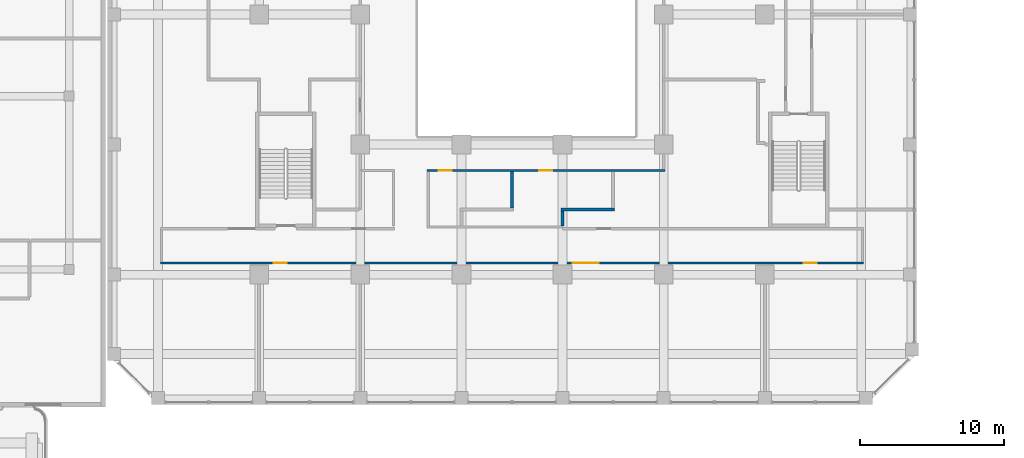
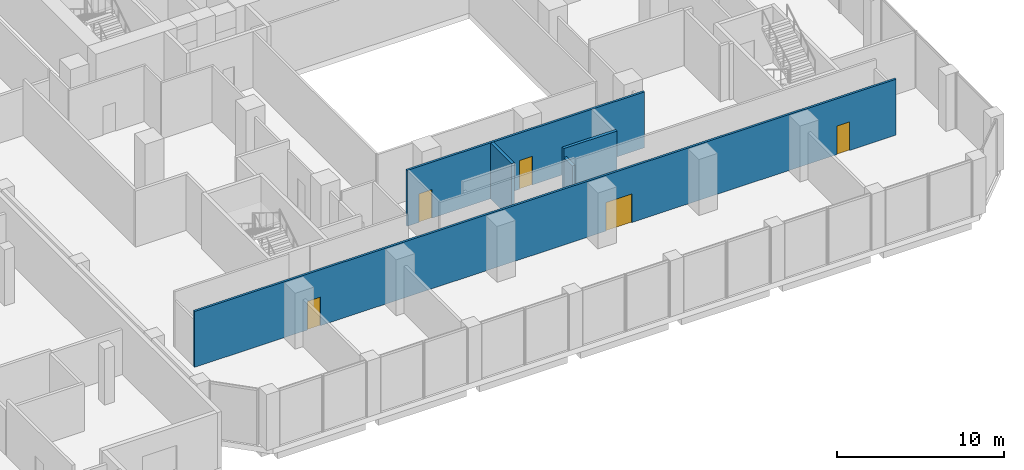
# One storey, part 14 of 36: 5 doors, 5 walls, 5 openings.
"""IFC4 building model written with IfcOpenShell, lengths in metres."""

from ifc_helpers import new_model, si_unit, direction, frame, frame_2d, origin, place, context, subcontext, project, spatial, rectangle, extrude, material, layer, layer_set, type_object, element, fill, save


model = new_model("IFC4")

# Units and contexts
model_context = context("Model", 3, precision=1e-05, world=origin(), true_north=direction((0.0, 1.0)))
body_context = subcontext(model_context, "Body", "Model", "MODEL_VIEW")
ifc_project = project(units=[si_unit("LENGTHUNIT", "METRE"), si_unit("AREAUNIT", "SQUARE_METRE"), si_unit("VOLUMEUNIT", "CUBIC_METRE"), si_unit("PLANEANGLEUNIT", "RADIAN"), si_unit("MASSUNIT", "GRAM", prefix="KILO")], contexts=[model_context])

# Site, building, storey
site_placement = place(None, origin())
site = spatial("IfcSite", under=ifc_project, at=site_placement, CompositionType="ELEMENT")
building_placement = place(site_placement, origin())
building = spatial("IfcBuilding", under=site, at=building_placement, Name="Kilnfold Tower and Market Hall", CompositionType="ELEMENT")
storey_placement = place(building_placement, frame((0.0, 0.0, 18.0)))
storey = spatial("IfcBuildingStorey", under=building, at=storey_placement, Name="L03", CompositionType="ELEMENT", Elevation=18.0)

# Wall, openings, doors
ifc_material_1 = material(Name="Gypsum board on steel studs", Category="steel")
ifc_layer_1 = layer(ifc_material_1, 0.14990234375)
ifc_layer_set_1 = layer_set([ifc_layer_1], Name="Gypsum board on steel studs")
wall_type_1 = type_object("IfcWallType", Name="WALL CORRIDOR 150", PredefinedType="PARTITIONING", material=ifc_layer_set_1)
wall_1_placement = place(storey_placement, frame((-24.324951171875, -18.199951171875, 0.0), z_axis=(0.0, 0.0, 1.0), x_axis=(1.0, 0.0, 0.0)))
wall_1 = element("IfcWall", 1, at=wall_1_placement, inside=storey, type_object=wall_type_1, Name="Partition LY04.7", PredefinedType="PARTITIONING", context=body_context, shape_type="SweptSolid", body=[
    extrude(rectangle(XDim=48.64990234375, YDim=0.14990234375, at=frame_2d((24.324951171875, 0.0))), origin(), (0.0, 0.0, 1.0), 4.10009765625),
])
opening_1_placement = place(wall_1_placement, frame((7.818115234375, 0.0, 0.0)))
opening_1 = element("IfcOpeningElement", 2, at=opening_1_placement, cuts=wall_1, Name="Opening D2", PredefinedType="OPENING", context=body_context, shape_type="SweptSolid", body=[
    extrude(rectangle(XDim=0.89990234375, YDim=2.10009765625, at=frame_2d((0.449951171875, 1.050048828125))), frame((0.0, 0.0849609375, 0.0), z_axis=(0.0, -1.0, 0.0), x_axis=(1.0, 0.0, 0.0)), (0.0, 0.0, 1.0), 0.169921875),
])
opening_2_placement = place(wall_1_placement, frame((28.52587890625, 0.0, 0.0)))
opening_2 = element("IfcOpeningElement", 3, at=opening_2_placement, cuts=wall_1, Name="Opening D5", PredefinedType="OPENING", context=body_context, shape_type="SweptSolid", body=[
    extrude(rectangle(XDim=1.800048828125, YDim=2.10009765625, at=frame_2d((0.89990234375, 1.050048828125))), frame((0.0, 0.0849609375, 0.0), z_axis=(0.0, -1.0, 0.0), x_axis=(1.0, 0.0, 0.0)), (0.0, 0.0, 1.0), 0.169921875),
])
opening_3_placement = place(wall_1_placement, frame((44.531005859375, 0.0, 0.0)))
opening_3 = element("IfcOpeningElement", 4, at=opening_3_placement, cuts=wall_1, Name="Opening D2", PredefinedType="OPENING", context=body_context, shape_type="SweptSolid", body=[
    extrude(rectangle(XDim=0.89990234375, YDim=2.10009765625, at=frame_2d((0.449951171875, 1.050048828125))), frame((0.0, 0.0849609375, 0.0), z_axis=(0.0, -1.0, 0.0), x_axis=(1.0, 0.0, 0.0)), (0.0, 0.0, 1.0), 0.169921875),
])
ifc_material_2 = material(Name="Timber veneer door leaf in steel frame", Category="steel")
door_type_1 = type_object("IfcDoorType", Name="DOOR DOUBLE 1800 X2100", OperationType="NOTDEFINED", PredefinedType="DOOR", material=ifc_material_2)
door_1_placement = place(opening_2_placement, origin())
door_1 = element("IfcDoor", 5, at=door_1_placement, inside=storey, type_object=door_type_1, Name="Door D5", OperationType="DOUBLE_DOOR_SINGLE_SWING", OverallHeight=2.10009765625, OverallWidth=1.800048828125, PredefinedType="DOOR", context=body_context, shape_type="SweptSolid", body=[
    extrude(rectangle(XDim=1.800048828125, YDim=2.10009765625, at=frame_2d((0.89990234375, 1.050048828125))), frame((0.0, 0.02490234375, 0.0), z_axis=(0.0, -1.0, 0.0), x_axis=(1.0, 0.0, 0.0)), (0.0, 0.0, 1.0), 0.050048828125),
])
fill(opening_2, door_1)
ifc_material_3 = material(Name="Timber veneer door leaf in steel frame", Category="steel")
door_type_2 = type_object("IfcDoorType", Name="DOOR ROOM 900 X2100", OperationType="NOTDEFINED", PredefinedType="DOOR", material=ifc_material_3)
door_2_placement = place(opening_1_placement, origin())
door_2 = element("IfcDoor", 6, at=door_2_placement, inside=storey, type_object=door_type_2, Name="Door D2", OperationType="SINGLE_SWING_LEFT", OverallHeight=2.10009765625, OverallWidth=0.89990234375, PredefinedType="DOOR", context=body_context, shape_type="SweptSolid", body=[
    extrude(rectangle(XDim=0.89990234375, YDim=2.10009765625, at=frame_2d((0.449951171875, 1.050048828125))), frame((0.0, 0.02490234375, 0.0), z_axis=(0.0, -1.0, 0.0), x_axis=(1.0, 0.0, 0.0)), (0.0, 0.0, 1.0), 0.050048828125),
])
fill(opening_1, door_2)
door_3_placement = place(opening_3_placement, origin())
door_3 = element("IfcDoor", 7, at=door_3_placement, inside=storey, type_object=door_type_2, Name="Door D2", OperationType="SINGLE_SWING_RIGHT", OverallHeight=2.10009765625, OverallWidth=0.89990234375, PredefinedType="DOOR", context=body_context, shape_type="SweptSolid", body=[
    extrude(rectangle(XDim=0.89990234375, YDim=2.10009765625, at=frame_2d((0.449951171875, 1.050048828125))), frame((0.0, 0.02490234375, 0.0), z_axis=(0.0, -1.0, 0.0), x_axis=(1.0, 0.0, 0.0)), (0.0, 0.0, 1.0), 0.050048828125),
])
fill(opening_3, door_3)

wall_2_placement = place(storey_placement, frame((-5.875, -11.800048828125, 0.0), z_axis=(0.0, 0.0, 1.0), x_axis=(1.0, 0.0, 0.0)))
wall_2 = element("IfcWall", 8, at=wall_2_placement, inside=storey, type_object=wall_type_1, Name="Partition LY04.15", PredefinedType="PARTITIONING", context=body_context, shape_type="SweptSolid", body=[
    extrude(rectangle(XDim=16.449951171875, YDim=0.14990234375, at=frame_2d((8.22509765625, 0.0))), origin(), (0.0, 0.0, 1.0), 4.10009765625),
])
opening_4_placement = place(wall_2_placement, frame((0.81103515625, 0.0, 0.0)))
opening_4 = element("IfcOpeningElement", 9, at=opening_4_placement, cuts=wall_2, Name="Opening D2", PredefinedType="OPENING", context=body_context, shape_type="SweptSolid", body=[
    extrude(rectangle(XDim=0.89990234375, YDim=2.10009765625, at=frame_2d((0.449951171875, 1.050048828125))), frame((0.0, 0.0849609375, 0.0), z_axis=(0.0, -1.0, 0.0), x_axis=(1.0, 0.0, 0.0)), (0.0, 0.0, 1.0), 0.169921875),
])
opening_5_placement = place(wall_2_placement, frame((7.77099609375, 0.0, 0.0)))
opening_5 = element("IfcOpeningElement", 10, at=opening_5_placement, cuts=wall_2, Name="Opening D3", PredefinedType="OPENING", context=body_context, shape_type="SweptSolid", body=[
    extrude(rectangle(XDim=0.89990234375, YDim=2.10009765625, at=frame_2d((0.449951171875, 1.050048828125))), frame((0.0, 0.0849609375, 0.0), z_axis=(0.0, -1.0, 0.0), x_axis=(1.0, 0.0, 0.0)), (0.0, 0.0, 1.0), 0.169921875),
])
door_4_placement = place(opening_4_placement, origin())
door_4 = element("IfcDoor", 11, at=door_4_placement, inside=storey, type_object=door_type_2, Name="Door D2", OperationType="SINGLE_SWING_LEFT", OverallHeight=2.10009765625, OverallWidth=0.89990234375, PredefinedType="DOOR", context=body_context, shape_type="SweptSolid", body=[
    extrude(rectangle(XDim=0.89990234375, YDim=2.10009765625, at=frame_2d((0.449951171875, 1.050048828125))), frame((0.0, 0.02490234375, 0.0), z_axis=(0.0, -1.0, 0.0), x_axis=(1.0, 0.0, 0.0)), (0.0, 0.0, 1.0), 0.050048828125),
])
fill(opening_4, door_4)
ifc_material_4 = material(Name="Timber veneer door leaf in steel frame", Category="steel")
door_type_3 = type_object("IfcDoorType", Name="DOOR WC 900 X2100", OperationType="NOTDEFINED", PredefinedType="DOOR", material=ifc_material_4)
door_5_placement = place(opening_5_placement, origin())
door_5 = element("IfcDoor", 12, at=door_5_placement, inside=storey, type_object=door_type_3, Name="Door D3", OperationType="SINGLE_SWING_RIGHT", OverallHeight=2.10009765625, OverallWidth=0.89990234375, PredefinedType="DOOR", context=body_context, shape_type="SweptSolid", body=[
    extrude(rectangle(XDim=0.89990234375, YDim=2.10009765625, at=frame_2d((0.449951171875, 1.050048828125))), frame((0.0, 0.02490234375, 0.0), z_axis=(0.0, -1.0, 0.0), x_axis=(1.0, 0.0, 0.0)), (0.0, 0.0, 1.0), 0.050048828125),
])
fill(opening_5, door_5)

# Walls
ifc_material_5 = material(Name="Gypsum board on steel studs", Category="steel")
ifc_layer_2 = layer(ifc_material_5, 0.199951171875)
ifc_layer_set_2 = layer_set([ifc_layer_2], Name="Gypsum board on steel studs")
wall_type_2 = type_object("IfcWallType", Name="WALL PARTY 200", PredefinedType="PARTITIONING", material=ifc_layer_set_2)
wall_3_placement = place(storey_placement, frame((0.0, -14.39990234375, 0.0), z_axis=(0.0, 0.0, 1.0), x_axis=(0.0, 1.0, 0.0)))
element("IfcWall", 13, at=wall_3_placement, inside=storey, type_object=wall_type_2, Name="Partition LY04.47", PredefinedType="PARTITIONING", context=body_context, shape_type="SweptSolid", body=[
    extrude(rectangle(XDim=2.52392578125, YDim=0.199951171875, at=frame_2d((1.261962890625, 0.0))), origin(), (0.0, 0.0, 1.0), 4.10009765625),
])
wall_4_placement = place(storey_placement, frame((3.39990234375, -14.5, 0.0), z_axis=(0.0, 0.0, 1.0), x_axis=(1.0, 0.0, 0.0)))
element("IfcWall", 14, at=wall_4_placement, inside=storey, type_object=wall_type_2, Name="Partition LY04.51", PredefinedType="PARTITIONING", context=body_context, shape_type="SweptSolid", body=[
    extrude(rectangle(XDim=3.7001953125, YDim=0.199951171875, at=frame_2d((1.85009765625, 0.0))), origin(), (0.0, 0.0, 1.0), 4.10009765625),
])
wall_5_placement = place(storey_placement, frame((3.5, -15.6240234375, 0.0), z_axis=(0.0, 0.0, 1.0), x_axis=(0.0, 1.0, 0.0)))
element("IfcWall", 15, at=wall_5_placement, inside=storey, type_object=wall_type_2, Name="Partition LY04.52", PredefinedType="PARTITIONING", context=body_context, shape_type="SweptSolid", body=[
    extrude(rectangle(XDim=1.02392578125, YDim=0.199951171875, at=frame_2d((0.511962890625, 0.0))), origin(), (0.0, 0.0, 1.0), 3.449951171875),
])

save(model, "model.ifc")
